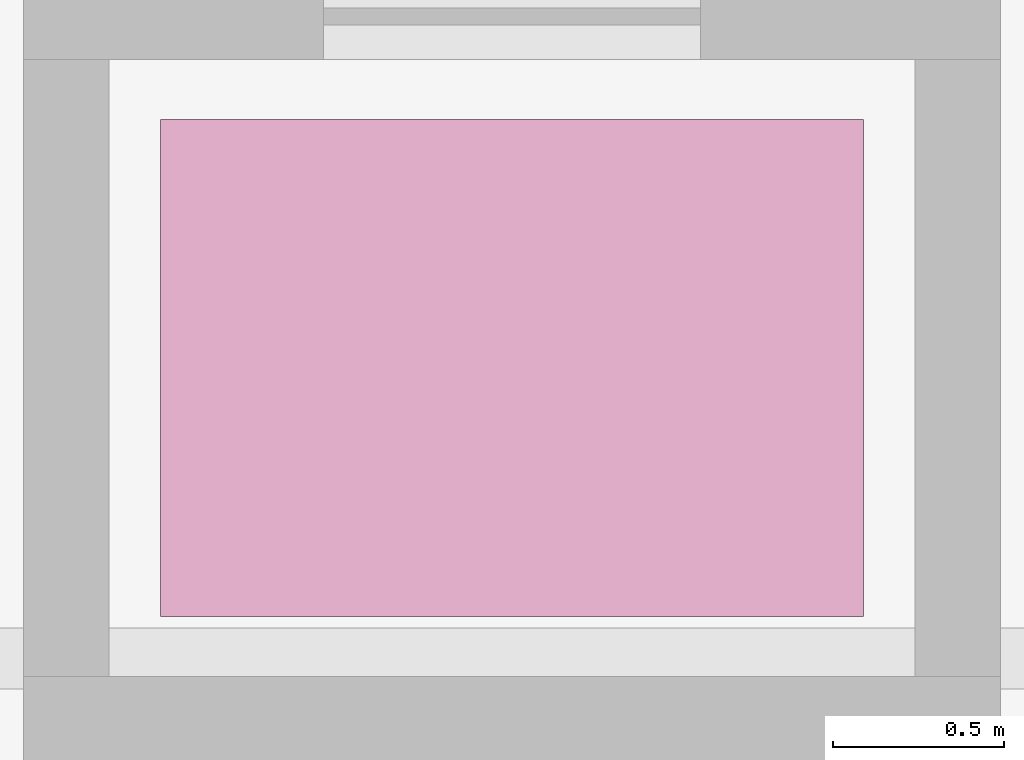
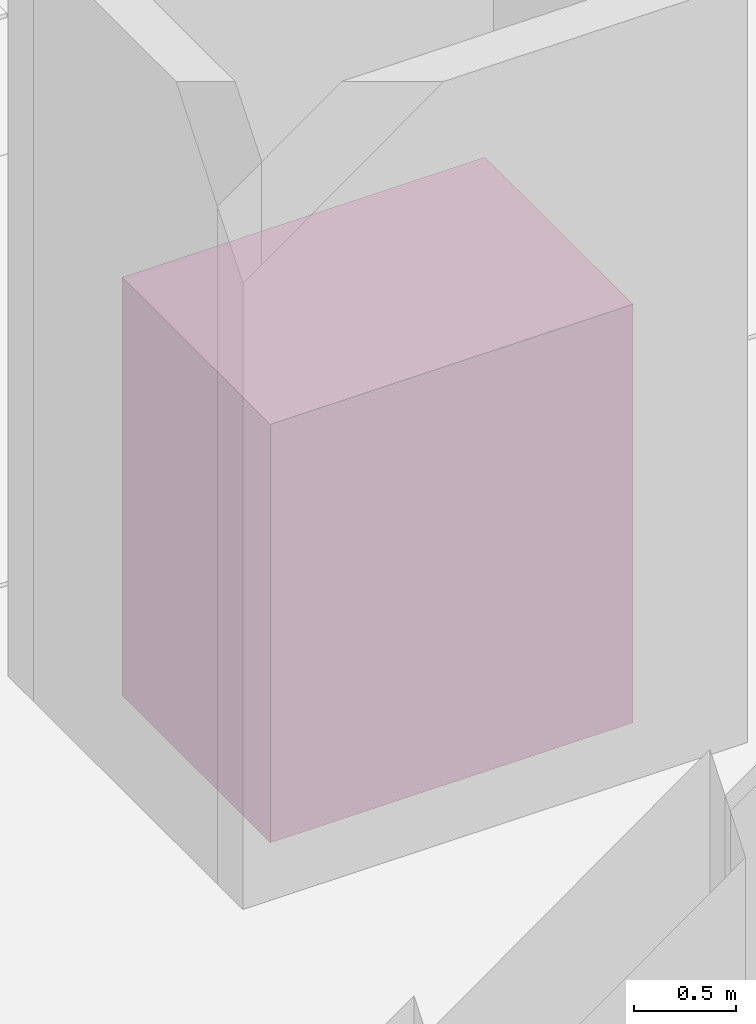
# One storey, part 116 of 116: 1 transport element.
"""IFC4 building model written with IfcOpenShell, lengths in metres."""

from ifc_helpers import new_model, si_unit, direction, frame, origin, origin_2d, place, context, subcontext, project, spatial, rectangle, extrude, material, type_object, element, save


model = new_model("IFC4")

# Units and contexts
model_context = context("Model", 3, precision=1e-05, world=origin(), true_north=direction((0.0, 1.0)))
body_context = subcontext(model_context, "Body", "Model", "MODEL_VIEW")
ifc_project = project(units=[si_unit("LENGTHUNIT", "METRE"), si_unit("AREAUNIT", "SQUARE_METRE"), si_unit("VOLUMEUNIT", "CUBIC_METRE"), si_unit("PLANEANGLEUNIT", "RADIAN"), si_unit("MASSUNIT", "GRAM", prefix="KILO")], contexts=[model_context])

# Site, building, storey
site_placement = place(None, origin())
site = spatial("IfcSite", under=ifc_project, at=site_placement, CompositionType="ELEMENT")
building_placement = place(site_placement, origin())
building = spatial("IfcBuilding", under=site, at=building_placement, Name="Chalmorin Arch Market", CompositionType="ELEMENT")
storey_placement = place(building_placement, origin())
storey = spatial("IfcBuildingStorey", under=building, at=storey_placement, Name="L00", CompositionType="ELEMENT", Elevation=0.0)

# Transport element
ifc_material = material(Name="Stainless Steel 316", Category="steel")
transport_element_type = type_object("IfcTransportElementType", Name="PassengerMarketLift-2050x1450", PredefinedType="ELEVATOR", material=ifc_material)
transport_element_placement = place(storey_placement, frame((11.60009765625, 9.60009765625, 0.0), z_axis=(0.0, 0.0, 1.0), x_axis=(1.0, 0.0, 0.0)))
element("IfcTransportElement", 1, at=transport_element_placement, inside=storey, type_object=transport_element_type, Name="LF-P1", PredefinedType="ELEVATOR", context=body_context, shape_type="SweptSolid", body=[
    extrude(rectangle(XDim=2.050048828125, YDim=1.449951171875, at=origin_2d()), origin(), (0.0, 0.0, 1.0), 2.5),
])

save(model, "model.ifc")
